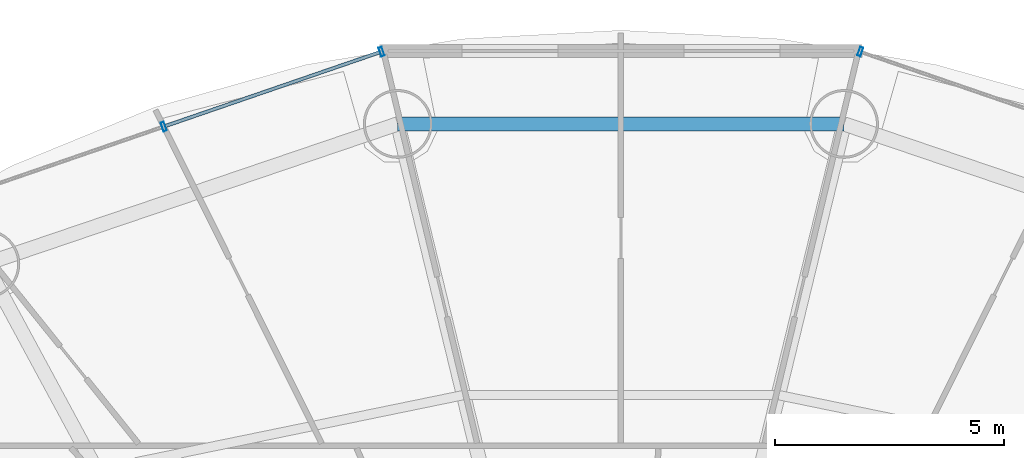
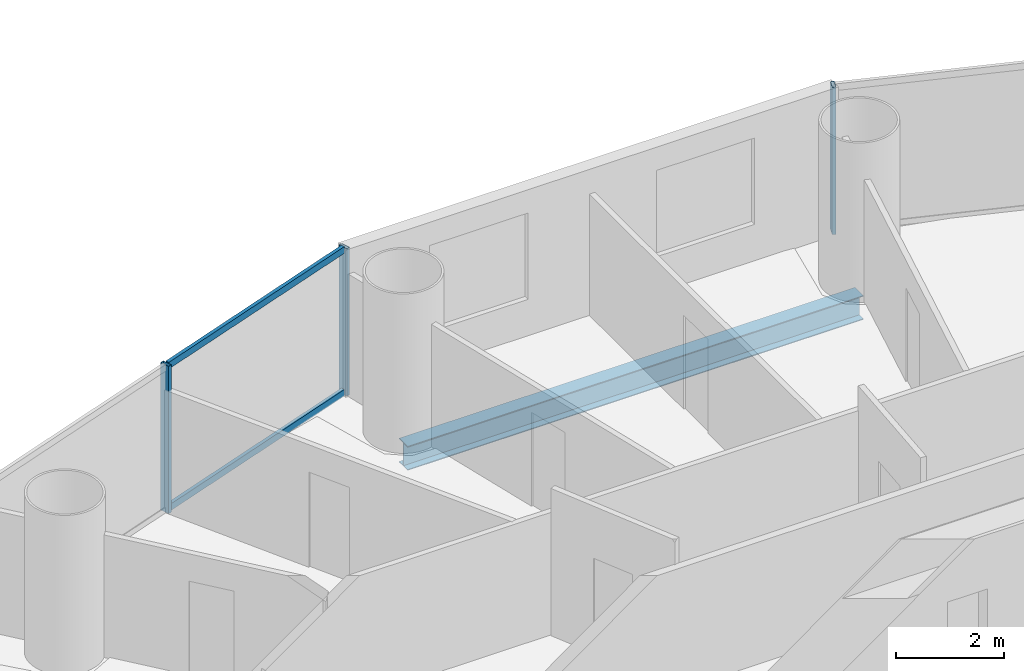
# One storey, part 18 of 29: 5 members, 1 beam, 2 elements without a shape of their own.
"""IFC4 building model written with IfcOpenShell, lengths in metres."""

from ifc_helpers import new_model, si_unit, direction, frame, origin, origin_2d, place, context, subcontext, project, spatial, hollow_rectangle, i_section, extrude, source, transform, mapped, material, material_profile, profile_set, type_object, element, aggregate, save


model = new_model("IFC4")

# Units and contexts
model_context = context("Model", 3, precision=1e-05, world=origin(), true_north=direction((-0.2419218956, 0.970295726276)))
body_context = subcontext(model_context, "Body", "Model", "MODEL_VIEW")
ifc_project = project(units=[si_unit("LENGTHUNIT", "METRE"), si_unit("AREAUNIT", "SQUARE_METRE"), si_unit("VOLUMEUNIT", "CUBIC_METRE"), si_unit("PLANEANGLEUNIT", "RADIAN"), si_unit("MASSUNIT", "GRAM", prefix="KILO")], contexts=[model_context])

# Site, building, storey
site_placement = place(None, origin())
site = spatial("IfcSite", under=ifc_project, at=site_placement, CompositionType="ELEMENT")
building_placement = place(site_placement, origin())
building = spatial("IfcBuilding", under=site, at=building_placement, Name="Cobrevalo Terracotta Tower", CompositionType="ELEMENT")
storey_placement = place(building_placement, frame((0.0, 0.0, 90.60009765625)))
storey = spatial("IfcBuildingStorey", under=building, at=storey_placement, Name="L23", CompositionType="ELEMENT", Elevation=90.60009765625)

# Beam
ifc_material_1 = material(Name="Steel S355", Category="steel")
ifc_material_profile_1 = material_profile(ifc_material_1, i_section(OverallWidth=0.31201171875, OverallDepth=0.54296875, WebThickness=0.0126953125, FlangeThickness=0.020263671875, at=origin_2d()), Name="W 530x150")
ifc_profile_set_1 = profile_set([ifc_material_profile_1], Name="Steel S355")
beam_type = type_object("IfcBeamType", Name="Structural Spandrel W 530x150 (Steel S355)", PredefinedType="SPANDREL", material=ifc_profile_set_1)
beam_placement = place(storey_placement, frame((42.867431640625, 46.857177734375, -0.546630859375), z_axis=(-1.0, 0.0, 0.0), x_axis=(0.0, -1.0, 0.0)))
element("IfcBeam", 1, at=beam_placement, inside=storey, type_object=beam_type, Name="L23 perimeter ring spandrel 04", PredefinedType="SPANDREL", context=body_context, shape_type="SweptSolid", body=[
    extrude(i_section(OverallWidth=0.31201171875, OverallDepth=0.54296875, WebThickness=0.0126953125, FlangeThickness=0.020263671875, at=origin_2d()), origin(), (0.0, 0.0, 1.0), 9.73486328125),
])

# Curtain wall, member
ifc_material_2 = material(Name="Anodized aluminium", Category="aluminium")
curtain_wall_type = type_object("IfcCurtainWallType", Name="Lower-tower unitised acoustic low-E curtain wall CW-U1", PredefinedType="NOTDEFINED", material=ifc_material_2)
curtain_wall_1_placement = place(storey_placement, origin())
curtain_wall_1 = element("IfcCurtainWall", 2, at=curtain_wall_1_placement, inside=storey, type_object=curtain_wall_type, Name="L23 curtain wall CW-L23-S03", PredefinedType="NOTDEFINED")
ifc_material_profile_2 = material_profile(ifc_material_2, hollow_rectangle(XDim=0.074951171875, YDim=0.199951171875, WallThickness=0.0048828125, at=origin_2d()), Name="CWM 75x200")
ifc_profile_set_2 = profile_set([ifc_material_profile_2], Name="Anodized aluminium")
member_type_1 = type_object("IfcMemberType", Name="Lower/mid tower unitised mullion 75x200", PredefinedType="MULLION", material=ifc_profile_set_2)
shared_shape_1 = source(origin(), body_context, "Body", "SweptSolid", [
    extrude(hollow_rectangle(XDim=0.074951171875, YDim=0.199951171875, WallThickness=0.0048828125, at=origin_2d()), origin(), (0.0, 0.0, 1.0), 3.324951171875),
])
member_1_placement = place(storey_placement, frame((43.221435546875, 48.432861328125, 0.0), z_axis=(0.0, 0.0, 1.0), x_axis=(-0.94559809868, 0.325337110968, 0.0)))
member_1 = element("IfcMember", 3, at=member_1_placement, type_object=member_type_1, Name="CW-L23-S03 vertical mullion 03", PredefinedType="MULLION", context=body_context, shape_type="MappedRepresentation", body=[
    mapped(shared_shape_1, transform((0.0, 0.0, 0.0), scale=1.0)),
])
aggregate(curtain_wall_1, [member_1])

# Curtain wall, members
curtain_wall_2_placement = place(storey_placement, origin())
curtain_wall_2 = element("IfcCurtainWall", 4, at=curtain_wall_2_placement, inside=storey, type_object=curtain_wall_type, Name="L23 curtain wall CW-L23-S05", PredefinedType="NOTDEFINED")
member_2_placement = place(storey_placement, frame((32.778564453125, 48.432861328125, 0.0), z_axis=(0.0, 0.0, 1.0), x_axis=(-0.94559809868, -0.325337110968, 0.0)))
member_2 = element("IfcMember", 5, at=member_2_placement, type_object=member_type_1, Name="CW-L23-S05 vertical mullion 01", PredefinedType="MULLION", context=body_context, shape_type="MappedRepresentation", body=[
    mapped(shared_shape_1, transform((0.0, 0.0, 0.0), scale=1.0)),
])
member_3_placement = place(storey_placement, frame((28.027587890625, 46.79833984375, 0.0), z_axis=(0.0, 0.0, 1.0), x_axis=(-0.94559809868, -0.325337110968, 0.0)))
member_3 = element("IfcMember", 6, at=member_3_placement, type_object=member_type_1, Name="CW-L23-S05 vertical mullion 02", PredefinedType="MULLION", context=body_context, shape_type="MappedRepresentation", body=[
    mapped(shared_shape_1, transform((0.0, 0.0, 0.0), scale=1.0)),
])
ifc_material_profile_3 = material_profile(ifc_material_2, hollow_rectangle(XDim=0.074951171875, YDim=0.14990234375, WallThickness=0.00439453125, at=origin_2d()), Name="CWT 75x150")
ifc_profile_set_3 = profile_set([ifc_material_profile_3], Name="Anodized aluminium")
member_type_2 = type_object("IfcMemberType", Name="Tower unitised aluminium transom 75x150", PredefinedType="USERDEFINED", material=ifc_profile_set_3)
shared_shape_2 = source(origin(), body_context, "Body", "SweptSolid", [
    extrude(hollow_rectangle(XDim=0.074951171875, YDim=0.14990234375, WallThickness=0.00439453125, at=origin_2d()), origin(), (0.0, 0.0, 1.0), 4.944580078125),
])
member_4_placement = place(storey_placement, frame((32.74072265625, 48.419921875, 0.0498046875), z_axis=(-0.945597859971, -0.32533780478, 0.0), x_axis=(0.32533780478, -0.945597859971, 0.0)))
member_4 = element("IfcMember", 7, at=member_4_placement, type_object=member_type_2, Name="CW-L23-S05 transom B01-T1", ObjectType="TRANSOM", PredefinedType="USERDEFINED", context=body_context, shape_type="MappedRepresentation", body=[
    mapped(shared_shape_2, transform((0.0, 0.0, 0.0), scale=1.0)),
])
member_5_placement = place(storey_placement, frame((32.74072265625, 48.419921875, 3.27490234375), z_axis=(-0.945597859971, -0.32533780478, 0.0), x_axis=(0.32533780478, -0.945597859971, 0.0)))
member_5 = element("IfcMember", 8, at=member_5_placement, type_object=member_type_2, Name="CW-L23-S05 transom B01-T2", ObjectType="TRANSOM", PredefinedType="USERDEFINED", context=body_context, shape_type="MappedRepresentation", body=[
    mapped(shared_shape_2, transform((0.0, 0.0, 0.0), scale=1.0)),
])
aggregate(curtain_wall_2, [member_2, member_3, member_4, member_5])

save(model, "model.ifc")
